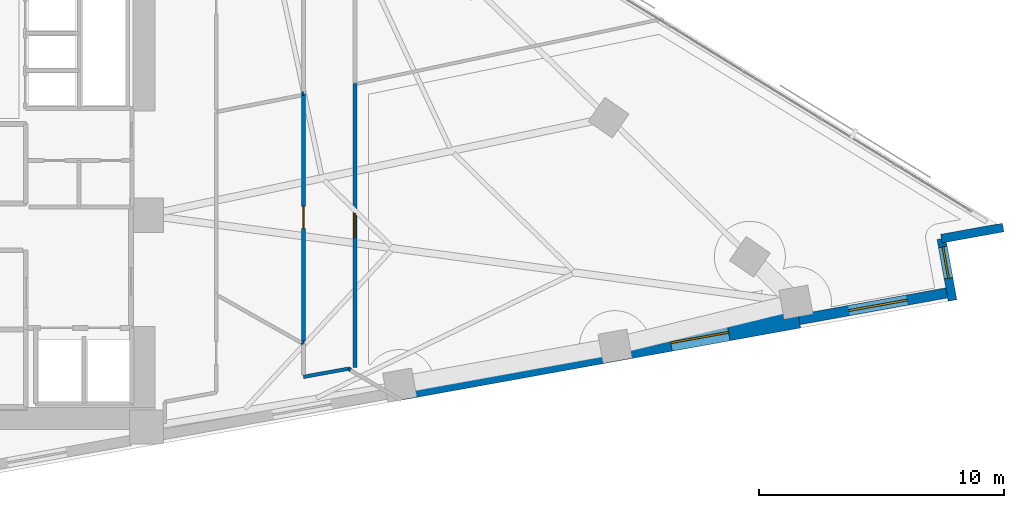
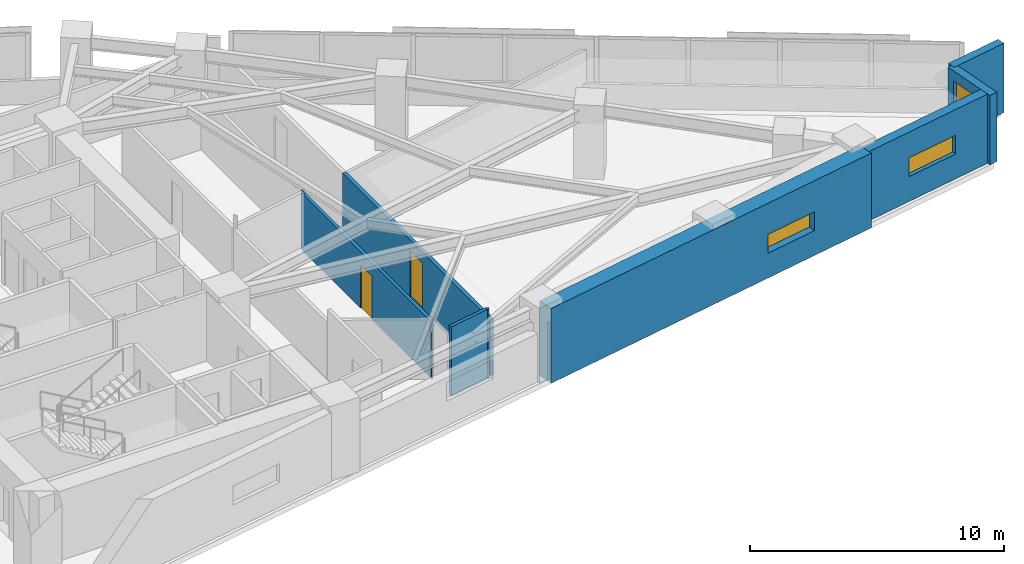
# One storey, part 15 of 18: 10 walls, 3 windows, 2 doors, 5 openings.
"""IFC4 building model written with IfcOpenShell, lengths in metres."""

from ifc_helpers import new_model, si_unit, direction, frame, frame_2d, origin, place, context, subcontext, project, spatial, rectangle, extrude, material, layer, layer_set, type_object, element, fill, save


model = new_model("IFC4")

# Units and contexts
model_context = context("Model", 3, precision=1e-05, world=origin(), true_north=direction((0.0, 1.0)))
body_context = subcontext(model_context, "Body", "Model", "MODEL_VIEW")
ifc_project = project(units=[si_unit("LENGTHUNIT", "METRE"), si_unit("AREAUNIT", "SQUARE_METRE"), si_unit("VOLUMEUNIT", "CUBIC_METRE"), si_unit("PLANEANGLEUNIT", "RADIAN"), si_unit("MASSUNIT", "GRAM", prefix="KILO")], contexts=[model_context])

# Site, building, storey
site_placement = place(None, origin())
site = spatial("IfcSite", under=ifc_project, at=site_placement, CompositionType="ELEMENT")
building_placement = place(site_placement, origin())
building = spatial("IfcBuilding", under=site, at=building_placement, Name="Narakoshi Arena Tower", CompositionType="ELEMENT")
storey_placement = place(building_placement, frame((0.0, 0.0, 110.10009765625)))
storey = spatial("IfcBuildingStorey", under=building, at=storey_placement, Name="L29", CompositionType="ELEMENT", Elevation=110.10009765625)

# Wall, opening, door
ifc_material_1 = material(Name="Gypsum plasterboard fire-rated partition")
ifc_layer_1 = layer(ifc_material_1, 0.1650390625)
ifc_layer_set_1 = layer_set([ifc_layer_1], Name="Gypsum plasterboard fire-rated partition")
wall_type_1 = type_object("IfcWallType", Name="WL-CORR-165", PredefinedType="PARTITIONING", material=ifc_layer_set_1)
wall_1_placement = place(storey_placement, frame((94.061279296875, 37.127685546875, 0.0), z_axis=(0.0, 0.0, 1.0), x_axis=(0.0, 1.0, 0.0)))
wall_1 = element("IfcWall", 1, at=wall_1_placement, inside=storey, type_object=wall_type_1, Name="L29 Corridor Partition 04-1", PredefinedType="PARTITIONING", context=body_context, shape_type="SweptSolid", body=[
    extrude(rectangle(XDim=11.606689453125, YDim=0.1650390625, at=frame_2d((5.80322265625, 0.0))), origin(), (0.0, 0.0, 1.0), 2.724853515625),
])
opening_1_placement = place(wall_1_placement, frame((5.30322265625, 0.0, 0.0)))
opening_1 = element("IfcOpeningElement", 2, at=opening_1_placement, cuts=wall_1, Name="Opening D-06", PredefinedType="OPENING", context=body_context, shape_type="SweptSolid", body=[
    extrude(rectangle(XDim=1.0, YDim=2.199951171875, at=frame_2d((0.5, 1.10009765625))), frame((0.0, 0.092529296875, 0.0), z_axis=(0.0, -1.0, 0.0), x_axis=(1.0, 0.0, 0.0)), (0.0, 0.0, 1.0), 0.18505859375),
])
ifc_material_2 = material(Name="Stained oak solid-core timber", Category="wood")
door_type_1 = type_object("IfcDoorType", Name="DR-OFF-1000", OperationType="NOTDEFINED", PredefinedType="DOOR", material=ifc_material_2)
door_1_placement = place(opening_1_placement, frame((1.0, 0.0, 0.0), z_axis=(0.0, 0.0, 1.0), x_axis=(-1.0, 0.0, 0.0)))
door_1 = element("IfcDoor", 3, at=door_1_placement, inside=storey, type_object=door_type_1, Name="DR-L29-017", OperationType="SINGLE_SWING_RIGHT", OverallHeight=2.199951171875, OverallWidth=1.0, PredefinedType="DOOR", context=body_context, shape_type="SweptSolid", body=[
    extrude(rectangle(XDim=1.0, YDim=2.199951171875, at=frame_2d((0.5, 1.10009765625))), frame((0.0, 0.02490234375, 0.0), z_axis=(0.0, -1.0, 0.0), x_axis=(1.0, 0.0, 0.0)), (0.0, 0.0, 1.0), 0.050048828125),
])
fill(opening_1, door_1)

# Wall, opening, window
ifc_material_3 = material(Name="Concrete C60/75", Category="concrete")
ifc_layer_2 = layer(ifc_material_3, 0.699951171875)
ifc_layer_set_2 = layer_set([ifc_layer_2], Name="Concrete C60/75")
wall_type_2 = type_object("IfcWallType", Name="WL-LEG-700", PredefinedType="SHEAR", material=ifc_layer_set_2)
wall_2_placement = place(storey_placement, frame((95.93798828125, 36.14599609375, -0.260009765625), z_axis=(0.0, 0.0, 1.0), x_axis=(0.984038488288, 0.177955762952, 0.0)))
wall_2 = element("IfcWall", 4, at=wall_2_placement, inside=storey, type_object=wall_type_2, Name="L29 Architectural Concrete Structural Wall LEGA-3", PredefinedType="SHEAR", context=body_context, shape_type="SweptSolid", body=[
    extrude(rectangle(XDim=16.524658203125, YDim=0.699951171875, at=frame_2d((8.26220703125, 0.0))), origin(), (0.0, 0.0, 1.0), 3.599853515625),
])
opening_2_placement = place(wall_2_placement, frame((11.199951171875, 0.0, 1.199951171875)))
opening_2 = element("IfcOpeningElement", 5, at=opening_2_placement, cuts=wall_2, Name="Opening WN-01", PredefinedType="OPENING", context=body_context, shape_type="SweptSolid", body=[
    extrude(rectangle(XDim=2.39990234375, YDim=0.89990234375, at=frame_2d((1.199951171875, 0.449951171875))), frame((0.0, 0.35986328125, 0.0), z_axis=(0.0, -1.0, 0.0), x_axis=(1.0, 0.0, 0.0)), (0.0, 0.0, 1.0), 0.719970703125),
])
ifc_material_4 = material(Name="Bronze-tinted low-E laminated glass", Category="glass")
window_type_1 = type_object("IfcWindowType", Name="WIN-SLT-24x09", PartitioningType="SINGLE_PANEL", PredefinedType="WINDOW", material=ifc_material_4)
window_1_placement = place(opening_2_placement, origin())
window_1 = element("IfcWindow", 6, at=window_1_placement, inside=storey, type_object=window_type_1, Name="L29 LEGA3 Horizontal Slot Window 1", OverallHeight=0.89990234375, OverallWidth=2.39990234375, PartitioningType="SINGLE_PANEL", PredefinedType="WINDOW", context=body_context, shape_type="SweptSolid", body=[
    extrude(rectangle(XDim=2.39990234375, YDim=0.89990234375, at=frame_2d((1.199951171875, 0.449951171875))), frame((0.0, 0.030029296875, 0.0), z_axis=(0.0, -1.0, 0.0), x_axis=(1.0, 0.0, 0.0)), (0.0, 0.0, 1.0), 0.06005859375),
])
fill(opening_2, window_1)

ifc_material_5 = material(Name="Precast concrete C45/55", Category="concrete")
ifc_layer_3 = layer(ifc_material_5, 0.419921875)
ifc_layer_set_3 = layer_set([ifc_layer_3], Name="Precast concrete C45/55")
wall_type_3 = type_object("IfcWallType", Name="WL-POD-420", PredefinedType="SOLIDWALL", material=ifc_layer_set_3)
wall_3_placement = place(storey_placement, frame((112.198974609375, 39.086669921875, 0.0), z_axis=(0.0, 0.0, 1.0), x_axis=(0.984042888215, 0.177931431042, 0.0)))
wall_3 = element("IfcWall", 7, at=wall_3_placement, inside=storey, type_object=wall_type_3, Name="L29 Architectural Concrete Facade Wall LEGA-4", PredefinedType="SOLIDWALL", context=body_context, shape_type="SweptSolid", body=[
    extrude(rectangle(XDim=6.30615234375, YDim=0.419921875, at=frame_2d((3.153076171875, 0.0))), origin(), (0.0, 0.0, 1.0), 3.33984375),
])
opening_3_placement = place(wall_3_placement, frame((2.0751953125, 0.0, 1.199951171875)))
opening_3 = element("IfcOpeningElement", 8, at=opening_3_placement, cuts=wall_3, Name="Opening WN-01", PredefinedType="OPENING", context=body_context, shape_type="SweptSolid", body=[
    extrude(rectangle(XDim=2.39990234375, YDim=0.89990234375, at=frame_2d((1.199951171875, 0.449951171875))), frame((0.0, 0.219970703125, 0.0), z_axis=(0.0, -1.0, 0.0), x_axis=(1.0, 0.0, 0.0)), (0.0, 0.0, 1.0), 0.43994140625),
])
window_2_placement = place(opening_3_placement, origin())
window_2 = element("IfcWindow", 9, at=window_2_placement, inside=storey, type_object=window_type_1, Name="L29 LEGA4 Horizontal Slot Window 1", OverallHeight=0.89990234375, OverallWidth=2.39990234375, PartitioningType="SINGLE_PANEL", PredefinedType="WINDOW", context=body_context, shape_type="SweptSolid", body=[
    extrude(rectangle(XDim=2.39990234375, YDim=0.89990234375, at=frame_2d((1.199951171875, 0.449951171875))), frame((0.0, 0.030029296875, 0.0), z_axis=(0.0, -1.0, 0.0), x_axis=(1.0, 0.0, 0.0)), (0.0, 0.0, 1.0), 0.06005859375),
])
fill(opening_3, window_2)

wall_4_placement = place(storey_placement, frame((118.466796875, 39.8642578125, 0.0), z_axis=(0.0, 0.0, 1.0), x_axis=(-0.177897493713, 0.984049024048, 0.0)))
wall_4 = element("IfcWall", 10, at=wall_4_placement, inside=storey, type_object=wall_type_3, Name="L29 Re-Entrant Corner Notch Wall NTE-1", PredefinedType="SOLIDWALL", context=body_context, shape_type="SweptSolid", body=[
    extrude(rectangle(XDim=2.56640625, YDim=0.360107421875, at=frame_2d((1.283203125, 0.0))), origin(), (0.0, 0.0, 1.0), 3.33984375),
])
opening_4_placement = place(wall_4_placement, frame((0.92626953125, 0.0, 0.449951171875)))
opening_4 = element("IfcOpeningElement", 11, at=opening_4_placement, cuts=wall_4, Name="Opening WN-06", PredefinedType="OPENING", context=body_context, shape_type="SweptSolid", body=[
    extrude(rectangle(XDim=1.300048828125, YDim=2.39990234375, at=frame_2d((0.64990234375, 1.199951171875))), frame((0.0, 0.18994140625, 0.0), z_axis=(0.0, -1.0, 0.0), x_axis=(1.0, 0.0, 0.0)), (0.0, 0.0, 1.0), 0.380126953125),
])
window_type_2 = type_object("IfcWindowType", Name="WIN-NTC-16x24", PartitioningType="SINGLE_PANEL", PredefinedType="WINDOW", material=ifc_material_4)
window_3_placement = place(opening_4_placement, origin())
window_3 = element("IfcWindow", 12, at=window_3_placement, inside=storey, type_object=window_type_2, Name="L29 Corner Notch Window NTE", OverallHeight=2.39990234375, OverallWidth=1.300048828125, PartitioningType="SINGLE_PANEL", PredefinedType="WINDOW", context=body_context, shape_type="SweptSolid", body=[
    extrude(rectangle(XDim=1.300048828125, YDim=2.39990234375, at=frame_2d((0.64990234375, 1.199951171875))), frame((0.0, 0.030029296875, 0.0), z_axis=(0.0, -1.0, 0.0), x_axis=(1.0, 0.0, 0.0)), (0.0, 0.0, 1.0), 0.06005859375),
])
fill(opening_4, window_3)

# Walls
wall_5_placement = place(storey_placement, frame((118.01025390625, 42.3896484375, 0.0), z_axis=(0.0, 0.0, 1.0), x_axis=(0.984046012923, 0.177914149102, 0.0)))
element("IfcWall", 13, at=wall_5_placement, inside=storey, type_object=wall_type_3, Name="L29 Re-Entrant Corner Notch Wall NTE-2", PredefinedType="SOLIDWALL", context=body_context, shape_type="SweptSolid", body=[
    extrude(rectangle(XDim=2.566162109375, YDim=0.360107421875, at=frame_2d((1.283203125, 0.0))), origin(), (0.0, 0.0, 1.0), 3.33984375),
])
ifc_material_6 = material(Name="Moisture-resistant cement-board partition")
ifc_layer_4 = layer(ifc_material_6, 0.14501953125)
ifc_layer_set_4 = layer_set([ifc_layer_4], Name="Moisture-resistant cement-board partition")
wall_type_4 = type_object("IfcWallType", Name="WL-WET-145", PredefinedType="PARTITIONING", material=ifc_layer_set_4)
wall_6_placement = place(storey_placement, frame((91.961181640625, 36.748046875, 0.0), z_axis=(0.0, 0.0, 1.0), x_axis=(0.984032355116, 0.177989674099, 0.0)))
element("IfcWall", 14, at=wall_6_placement, inside=storey, type_object=wall_type_4, Name="L29 Corridor Partition 02-3", PredefinedType="PARTITIONING", context=body_context, shape_type="SweptSolid", body=[
    extrude(rectangle(XDim=1.870849609375, YDim=0.14501953125, at=frame_2d((0.935546875, 0.0))), origin(), (0.0, 0.0, 1.0), 3.33984375),
])
wall_7_placement = place(storey_placement, frame((93.80224609375, 37.0810546875, 0.0), z_axis=(0.0, 0.0, 1.0), x_axis=(0.870320077179, -0.492486510739, 0.0)))
element("IfcWall", 15, at=wall_7_placement, inside=storey, type_object=wall_type_4, Name="L29 Corridor Partition 02-5", PredefinedType="PARTITIONING", context=body_context, shape_type="SweptSolid", body=[
    extrude(rectangle(XDim=0.09375, YDim=0.14501953125, at=frame_2d((0.046875, 0.0))), origin(), (0.0, 0.0, 1.0), 3.33984375),
])
wall_8_placement = place(storey_placement, frame((91.9013671875, 38.15869140625, 0.0), z_axis=(0.0, 0.0, 1.0), x_axis=(0.869768280547, -0.493460371412, 0.0)))
element("IfcWall", 16, at=wall_8_placement, inside=storey, type_object=wall_type_4, Name="L29 Corridor Partition 02-6", PredefinedType="PARTITIONING", context=body_context, shape_type="SweptSolid", body=[
    extrude(rectangle(XDim=0.06884765625, YDim=0.14501953125, at=frame_2d((0.034423828125, 0.0))), origin(), (0.0, 0.0, 1.0), 2.875),
])

# Wall, opening, door
wall_9_placement = place(storey_placement, frame((91.961181640625, 48.30126953125, 0.0), z_axis=(0.0, 0.0, 1.0), x_axis=(0.0, -1.0, 0.0)))
wall_9 = element("IfcWall", 17, at=wall_9_placement, inside=storey, type_object=wall_type_4, Name="L29 Corridor Partition 03-1", PredefinedType="PARTITIONING", context=body_context, shape_type="SweptSolid", body=[
    extrude(rectangle(XDim=10.079345703125, YDim=0.14501953125, at=frame_2d((5.03955078125, 0.0))), origin(), (0.0, 0.0, 1.0), 2.724853515625),
])
opening_5_placement = place(wall_9_placement, frame((4.589599609375, 0.0, 0.0)))
opening_5 = element("IfcOpeningElement", 18, at=opening_5_placement, cuts=wall_9, Name="Opening D-08", PredefinedType="OPENING", context=body_context, shape_type="SweptSolid", body=[
    extrude(rectangle(XDim=0.89990234375, YDim=2.10009765625, at=frame_2d((0.449951171875, 1.050048828125))), frame((0.0, 0.08251953125, 0.0), z_axis=(0.0, -1.0, 0.0), x_axis=(1.0, 0.0, 0.0)), (0.0, 0.0, 1.0), 0.1650390625),
])
ifc_material_7 = material(Name="Moisture-resistant laminate timber", Category="wood")
door_type_2 = type_object("IfcDoorType", Name="DR-WC-900", OperationType="NOTDEFINED", PredefinedType="DOOR", material=ifc_material_7)
door_2_placement = place(opening_5_placement, frame((0.89990234375, 0.0, 0.0), z_axis=(0.0, 0.0, 1.0), x_axis=(-1.0, 0.0, 0.0)))
door_2 = element("IfcDoor", 19, at=door_2_placement, inside=storey, type_object=door_type_2, Name="DR-L29-016", OperationType="SINGLE_SWING_RIGHT", OverallHeight=2.10009765625, OverallWidth=0.89990234375, PredefinedType="DOOR", context=body_context, shape_type="SweptSolid", body=[
    extrude(rectangle(XDim=0.89990234375, YDim=2.10009765625, at=frame_2d((0.449951171875, 1.050048828125))), frame((0.0, 0.02490234375, 0.0), z_axis=(0.0, -1.0, 0.0), x_axis=(1.0, 0.0, 0.0)), (0.0, 0.0, 1.0), 0.050048828125),
])
fill(opening_5, door_2)

# Wall
wall_10_placement = place(storey_placement, frame((91.961181640625, 48.32568359375, 0.0), z_axis=(0.0, 0.0, 1.0), x_axis=(-0.97980405878, -0.199960011996, 0.0)))
element("IfcWall", 20, at=wall_10_placement, inside=storey, type_object=wall_type_4, Name="L29 Corridor Partition 06-4", PredefinedType="PARTITIONING", context=body_context, shape_type="SweptSolid", body=[
    extrude(rectangle(XDim=0.06103515625, YDim=0.14501953125, at=frame_2d((0.030517578125, 0.0))), origin(), (0.0, 0.0, 1.0), 2.875),
])

save(model, "model.ifc")
